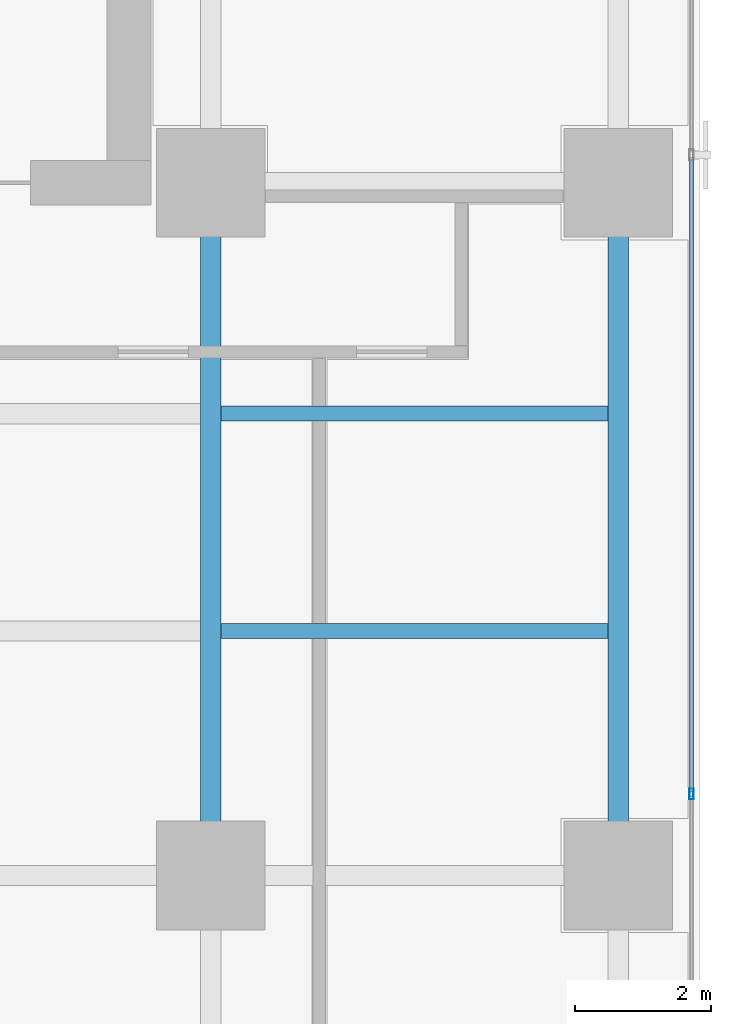
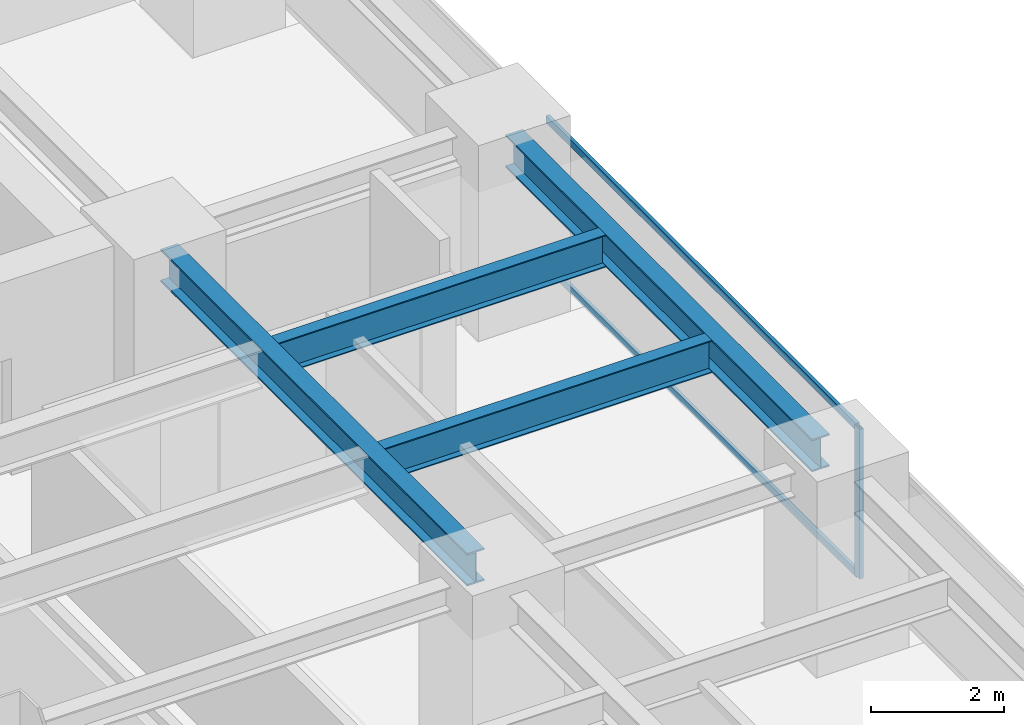
# One storey, part 13 of 28: 4 beams, 3 members, 1 element without a shape of its own.
"""IFC4 building model written with IfcOpenShell, lengths in metres."""

import ifcopenshell
import ifcopenshell.guid

model = None  # the IFC model being written
_history = None  # IfcOwnerHistory: only IFC2X3 demands one
_inside = {}  # id of a spatial element -> (the spatial element, [elements in it])
_under = {}  # id of a project, library or spatial element -> (it, [spatial elements below it])
_declared = {}  # id of a project -> (the project, [libraries it declares])
_typed = {}  # id of a type object -> (the type object, [elements of that type])
_made_of = {}  # id of a material, layer set ... -> (it, [elements and type objects made of it])


def new_model(schema):
    """Start an empty IFC model of exactly this schema.

    Asked for "IFC4X3", IfcOpenShell would pick the latest addendum, in which some entities
    have other attributes; the version numbers below select the first issue.
    IFC2X3 requires an IfcOwnerHistory on every rooted entity: one is made here for all.
    """
    global model, _history
    if schema == "IFC4X3":
        model = ifcopenshell.file(schema_version=(4, 3, 0, 0))
    else:
        model = ifcopenshell.file(schema=schema)
    _inside.clear()
    _under.clear()
    _declared.clear()
    _typed.clear()
    _made_of.clear()
    _history = None
    if model.schema == "IFC2X3":
        org = make("IfcOrganization", Name="unknown")
        user = make(
            "IfcPersonAndOrganization",
            ThePerson=make("IfcPerson", FamilyName="unknown"),
            TheOrganization=org,
        )
        app = make(
            "IfcApplication",
            ApplicationDeveloper=org,
            Version="unknown",
            ApplicationFullName="unknown",
            ApplicationIdentifier="unknown",
        )
        _history = make(
            "IfcOwnerHistory",
            OwningUser=user,
            OwningApplication=app,
            ChangeAction="ADDED",
            CreationDate=0,
        )
    return model


def make(cls, **values):
    """One entity of the class cls with the attributes given. An attribute that is None is left unset."""
    return model.create_entity(
        cls, **{name: value for name, value in values.items() if value is not None}
    )


def rooted(cls, **values):
    """An entity with a GlobalId (a new one), such as an element, a storey or a relation."""
    return make(cls, GlobalId=ifcopenshell.guid.new(), OwnerHistory=_history, **values)


def si_unit(unit_type, name, prefix=None):
    """IfcSIUnit, for example si_unit("LENGTHUNIT", "METRE", prefix="MILLI")."""
    return make("IfcSIUnit", UnitType=unit_type, Prefix=prefix, Name=name)


def assignment(units):
    """IfcUnitAssignment: the units of a project."""
    return None if units is None else make("IfcUnitAssignment", Units=units)


def point(xyz):
    """IfcCartesianPoint."""
    return None if xyz is None else make("IfcCartesianPoint", Coordinates=xyz)


def direction(xyz):
    """IfcDirection."""
    return None if xyz is None else make("IfcDirection", DirectionRatios=xyz)


def frame(location, z_axis=None, x_axis=None):
    """IfcAxis2Placement3D, a coordinate frame: its origin and axes. An axis left out is left unset."""
    return make(
        "IfcAxis2Placement3D",
        Location=point(location),
        Axis=direction(z_axis),
        RefDirection=direction(x_axis),
    )


def frame_2d(location, x_axis=None):
    """IfcAxis2Placement2D, a coordinate frame in the plane: its origin and x axis."""
    return make(
        "IfcAxis2Placement2D", Location=point(location), RefDirection=direction(x_axis)
    )


def origin():
    """The frame at (0, 0, 0) with its axes left unset."""
    return frame((0.0, 0.0, 0.0))


def origin_2d():
    """The frame at (0, 0) in the plane with its x axis left unset."""
    return frame_2d((0.0, 0.0))


def place(relative_to, where):
    """IfcLocalPlacement: puts the frame where relative to a parent placement (None: the world)."""
    return make(
        "IfcLocalPlacement", PlacementRelTo=relative_to, RelativePlacement=where
    )


def context(
    kind, dimensions, precision=None, world=None, true_north=None, identifier=None
):
    """IfcGeometricRepresentationContext, for example the 3D "Model" context."""
    return make(
        "IfcGeometricRepresentationContext",
        ContextIdentifier=identifier,
        ContextType=kind,
        CoordinateSpaceDimension=dimensions,
        Precision=precision,
        WorldCoordinateSystem=world,
        TrueNorth=true_north,
    )


def subcontext(parent, identifier, kind, view, scale=None):
    """IfcGeometricRepresentationSubContext, for example "Body" below "Model"."""
    return make(
        "IfcGeometricRepresentationSubContext",
        ContextIdentifier=identifier,
        ContextType=kind,
        ParentContext=parent,
        TargetScale=scale,
        TargetView=view,
    )


def project(units=None, contexts=None):
    """IfcProject with its units and contexts."""
    return rooted(
        "IfcProject",
        Name="project",
        RepresentationContexts=contexts,
        UnitsInContext=assignment(units),
    )


def spatial(cls, under=None, at=None, **own):
    """A site, building, storey or space (cls), placed at a placement, below another one or the project."""
    s = rooted(cls, ObjectPlacement=at, **own)
    if under is not None:
        _under.setdefault(under.id(), (under, []))[1].append(s)
    return s


def profile(cls, at=None, kind="AREA", **sizes):
    """A parametric profile (cls). Its sizes go by their IFC names, for example OverallWidth=200.0."""
    return make(cls, ProfileType=kind, Position=at, **sizes)


def hollow_rectangle(**sizes):
    """IfcRectangleHollowProfileDef."""
    return profile("IfcRectangleHollowProfileDef", **sizes)


def i_section(**sizes):
    """IfcIShapeProfileDef."""
    return profile("IfcIShapeProfileDef", **sizes)


def extrude(swept, where, along, depth):
    """IfcExtrudedAreaSolid: the profile swept, set in the frame where, extruded along a direction by depth."""
    return make(
        "IfcExtrudedAreaSolid",
        SweptArea=swept,
        Position=where,
        ExtrudedDirection=direction(along),
        Depth=depth,
    )


def shape(context_of_items, identifier, shape_type, items):
    """IfcShapeRepresentation: the items that make up one representation, for example the "Body"."""
    return make(
        "IfcShapeRepresentation",
        ContextOfItems=context_of_items,
        RepresentationIdentifier=identifier,
        RepresentationType=shape_type,
        Items=items,
    )


def source(mapping_origin, context_of_items, identifier, shape_type, items):
    """IfcRepresentationMap: a shape defined once, which mapped items show again and again."""
    return make(
        "IfcRepresentationMap",
        MappingOrigin=mapping_origin,
        MappedRepresentation=shape(context_of_items, identifier, shape_type, items),
    )


def transform(
    local_origin,
    x_axis=None,
    y_axis=None,
    z_axis=None,
    scale=None,
    scale2=None,
    scale3=None,
    uniform=True,
):
    """IfcCartesianTransformationOperator3D, or its non-uniform kind. x_axis, y_axis, z_axis: its Axis1, 2, 3."""
    if uniform:
        return make(
            "IfcCartesianTransformationOperator3D",
            Axis1=direction(x_axis),
            Axis2=direction(y_axis),
            LocalOrigin=point(local_origin),
            Scale=scale,
            Axis3=direction(z_axis),
        )
    return make(
        "IfcCartesianTransformationOperator3DnonUniform",
        Axis1=direction(x_axis),
        Axis2=direction(y_axis),
        LocalOrigin=point(local_origin),
        Scale=scale,
        Axis3=direction(z_axis),
        Scale2=scale2,
        Scale3=scale3,
    )


def mapped(mapping_source, mapping_target):
    """IfcMappedItem: shows the shape of a source again, moved by a transform."""
    return make(
        "IfcMappedItem", MappingSource=mapping_source, MappingTarget=mapping_target
    )


def material(Name=None, Category=None):
    """IfcMaterial."""
    return make("IfcMaterial", Name=Name, Category=Category)


def layer(
    of_material, thickness, ventilated=None, Name=None, Category=None, Priority=None
):
    """IfcMaterialLayer: one layer of a wall or slab, of a material (None: an air gap)."""
    return make(
        "IfcMaterialLayer",
        Material=of_material,
        LayerThickness=thickness,
        IsVentilated=ventilated,
        Name=Name,
        Category=Category,
        Priority=Priority,
    )


def layer_set(layers, Name=None):
    """IfcMaterialLayerSet."""
    return make("IfcMaterialLayerSet", MaterialLayers=layers, LayerSetName=Name)


def material_profile(
    of_material, cross_section, Name=None, Category=None, Priority=None
):
    """IfcMaterialProfile: a cross section and its material."""
    return make(
        "IfcMaterialProfile",
        Name=Name,
        Material=of_material,
        Profile=cross_section,
        Priority=Priority,
        Category=Category,
    )


def profile_set(profiles, Name=None, composite=None):
    """IfcMaterialProfileSet."""
    return make(
        "IfcMaterialProfileSet",
        Name=Name,
        MaterialProfiles=profiles,
        CompositeProfile=composite,
    )


def made_of(thing, what):
    """Note that an element or type object is made of a material, layer set ...; save() writes the relation."""
    if what is not None:
        _made_of.setdefault(what.id(), (what, []))[1].append(thing)
    return thing


def type_object(cls, material=None, **own):
    """A type object (cls), such as IfcWallType, which elements share."""
    return made_of(rooted(cls, **own), material)


def element(
    cls,
    number,
    at=None,
    inside=None,
    cuts=None,
    type_object=None,
    material=None,
    context=None,
    identifier="Body",
    shape_type=None,
    held_by="IfcProductDefinitionShape",
    body=None,
    shapes=None,
    **own,
):
    """One element of the class cls, such as IfcWall. Its Tag is "e" and its number.

    at: its placement. inside: the storey or other place that contains it. cuts: it is an
    opening in that element (IfcRelVoidsElement). A single representation is given by context,
    identifier, shape_type and body (its items); several are given by shapes. held_by: the class
    of the entity that holds the representations. save() writes the other relations.
    """
    e = rooted(cls, Tag="e%d" % number, ObjectPlacement=at, **own)
    if body is not None:
        shapes = [shape(context, identifier, shape_type, body)]
    if shapes is not None:
        e.Representation = make(held_by, Representations=shapes)
    if inside is not None:
        _inside.setdefault(inside.id(), (inside, []))[1].append(e)
    if cuts is not None:
        rooted(
            "IfcRelVoidsElement", RelatingBuildingElement=cuts, RelatedOpeningElement=e
        )
    if type_object is not None:
        _typed.setdefault(type_object.id(), (type_object, []))[1].append(e)
    return made_of(e, material)


def aggregate(whole, parts):
    """IfcRelAggregates: a whole, such as a stair, and the parts it consists of."""
    return rooted("IfcRelAggregates", RelatingObject=whole, RelatedObjects=parts)


def save(model, path):
    """Write the relations noted so far, then the file.

    IfcRelAggregates (storeys below a building ...), IfcRelContainedInSpatialStructure (elements
    in a storey), IfcRelDefinesByType, IfcRelAssociatesMaterial and IfcRelDeclares: one each for
    every whole, place, type object, material and project.
    """
    for whole, parts in _under.values():
        aggregate(whole, parts)
    for where, things in _inside.values():
        rooted(
            "IfcRelContainedInSpatialStructure",
            RelatedElements=things,
            RelatingStructure=where,
        )
    for kind, things in _typed.values():
        rooted("IfcRelDefinesByType", RelatedObjects=things, RelatingType=kind)
    for what, things in _made_of.values():
        rooted("IfcRelAssociatesMaterial", RelatedObjects=things, RelatingMaterial=what)
    for by, libraries in _declared.values():
        rooted("IfcRelDeclares", RelatingContext=by, RelatedDefinitions=libraries)
    model.write(path)


model = new_model("IFC4")

# Units and contexts
model_context = context("Model", 3, precision=1e-05, world=origin(), true_north=direction((0.0, 1.0)))
body_context = subcontext(model_context, "Body", "Model", "MODEL_VIEW")
ifc_project = project(units=[si_unit("LENGTHUNIT", "METRE"), si_unit("AREAUNIT", "SQUARE_METRE"), si_unit("VOLUMEUNIT", "CUBIC_METRE"), si_unit("PLANEANGLEUNIT", "RADIAN"), si_unit("MASSUNIT", "GRAM", prefix="KILO")], contexts=[model_context])

# Site, building, storey
site_placement = place(None, origin())
site = spatial("IfcSite", under=ifc_project, at=site_placement, CompositionType="ELEMENT")
building_placement = place(site_placement, origin())
building = spatial("IfcBuilding", under=site, at=building_placement, Name="Sumidabori Civic Tower", CompositionType="ELEMENT")
storey_placement = place(building_placement, frame((0.0, 0.0, 174.800048828125)))
storey = spatial("IfcBuildingStorey", under=building, at=storey_placement, Name="L45", CompositionType="ELEMENT", Elevation=174.800048828125)

# Beams
ifc_material_1 = material(Name="Steel SN490", Category="steel")
ifc_material_profile_1 = material_profile(ifc_material_1, i_section(OverallWidth=0.300048828125, OverallDepth=0.60009765625, WebThickness=0.015380859375, FlangeThickness=0.030029296875, at=origin_2d()), Name="HE 600 B")
ifc_profile_set_1 = profile_set([ifc_material_profile_1], Name="Steel SN490")
beam_type_1 = type_object("IfcBeamType", Name="BM-GIRD-600", PredefinedType="BEAM", material=ifc_profile_set_1)
shared_shape_1 = source(origin(), body_context, "Body", "SweptSolid", [
    extrude(i_section(OverallWidth=0.300048828125, OverallDepth=0.60009765625, WebThickness=0.015380859375, FlangeThickness=0.030029296875, at=origin_2d()), origin(), (0.0, 0.0, 1.0), 9.239990234375),
])
for number, where, z_axis, x_axis, name in (
    (1, (16.800048828125, 0.47998046875, 3.079833984375), (0.0, 1.0, 0.0), (-1.0, 0.0, 0.0), "Primary Girder L45 GY-34"),
    (2, (22.800048828125, 0.47998046875, 3.079833984375), (0.0, 1.0, 0.0), (-1.0, 0.0, 0.0), "Primary Girder L45 GY-37"),
):
    element("IfcBeam", number, at=place(storey_placement, frame(where, z_axis=z_axis, x_axis=x_axis)), inside=storey, type_object=beam_type_1, Name=name, PredefinedType="BEAM", context=body_context, shape_type="MappedRepresentation", body=[
        mapped(shared_shape_1, transform((0.0, 0.0, 0.0), x_axis=(1.0, 0.0, 0.0), y_axis=(0.0, 1.0, 0.0), z_axis=(0.0, 0.0, 1.0), scale=1.0)),
    ])
ifc_material_profile_2 = material_profile(ifc_material_1, i_section(OverallWidth=0.219970703125, OverallDepth=0.60009765625, WebThickness=0.011962890625, FlangeThickness=0.01904296875, at=origin_2d()), Name="IPE 600")
ifc_profile_set_2 = profile_set([ifc_material_profile_2], Name="Steel SN490")
beam_type_2 = type_object("IfcBeamType", Name="BM-JST-600", PredefinedType="JOIST", material=ifc_profile_set_2)
shared_shape_2 = source(origin(), body_context, "Body", "SweptSolid", [
    extrude(i_section(OverallWidth=0.219970703125, OverallDepth=0.60009765625, WebThickness=0.011962890625, FlangeThickness=0.01904296875, at=origin_2d()), origin(), (0.0, 0.0, 1.0), 5.699951171875),
])
for number, where, z_axis, x_axis, name in (
    (3, (16.949951171875, 3.60009765625, 3.079833984375), (1.0, 0.0, 0.0), (0.0, 1.0, 0.0), "Outer Bay Floor Joist L45 JSTO-44"),
    (4, (16.949951171875, 6.800048828125, 3.079833984375), (1.0, 0.0, 0.0), (0.0, 1.0, 0.0), "Outer Bay Floor Joist L45 JSTO-46"),
):
    element("IfcBeam", number, at=place(storey_placement, frame(where, z_axis=z_axis, x_axis=x_axis)), inside=storey, type_object=beam_type_2, Name=name, PredefinedType="JOIST", context=body_context, shape_type="MappedRepresentation", body=[
        mapped(shared_shape_2, transform((0.0, 0.0, 0.0), x_axis=(1.0, 0.0, 0.0), y_axis=(0.0, 1.0, 0.0), z_axis=(0.0, 0.0, 1.0), scale=1.0)),
    ])

# Curtain wall, members
ifc_material_2 = material(Name="Anodised Bronze Aluminium AW-6063-T6", Category="aluminium")
ifc_layer = layer(ifc_material_2, 0.179931640625, Name="Anodised Bronze Aluminium AW-6063-T6")
ifc_layer_set = layer_set([ifc_layer], Name="Anodised Bronze Aluminium AW-6063-T6")
curtain_wall_type = type_object("IfcCurtainWallType", Name="CW-SYS-3", PredefinedType="NOTDEFINED", material=ifc_layer_set)
curtain_wall_placement = place(storey_placement, origin())
curtain_wall = element("IfcCurtainWall", 5, at=curtain_wall_placement, inside=storey, type_object=curtain_wall_type, Name="Curtain Wall CW:L45:R04", PredefinedType="NOTDEFINED")
ifc_material_profile_3 = material_profile(ifc_material_2, hollow_rectangle(XDim=0.06494140625, YDim=0.159912109375, WallThickness=0.0048828125, at=origin_2d()), Name="ALU MULLION 160x65")
ifc_profile_set_3 = profile_set([ifc_material_profile_3], Name="Anodised Bronze Aluminium AW-6063-T6")
member_type_1 = type_object("IfcMemberType", Name="CW-MUL-160", PredefinedType="MULLION", material=ifc_profile_set_3)
shared_shape_3 = source(origin(), body_context, "Body", "SweptSolid", [
    extrude(hollow_rectangle(XDim=0.06494140625, YDim=0.159912109375, WallThickness=0.0048828125, at=origin_2d()), origin(), (0.0, 0.0, 1.0), 2.760009765625),
])
member_1_placement = place(storey_placement, frame((23.8798828125, 1.199951171875, 0.0), z_axis=(0.0, 0.0, 1.0), x_axis=(-1.0, 0.0, 0.0)))
member_1 = element("IfcMember", 6, at=member_1_placement, type_object=member_type_1, Name="CW-3 mullion 3", PredefinedType="MULLION", context=body_context, shape_type="MappedRepresentation", body=[
    mapped(shared_shape_3, transform((0.0, 0.0, 0.0), x_axis=(1.0, 0.0, 0.0), y_axis=(0.0, 1.0, 0.0), z_axis=(0.0, 0.0, 1.0), scale=1.0)),
])
ifc_material_profile_4 = material_profile(ifc_material_2, hollow_rectangle(XDim=0.06005859375, YDim=0.1298828125, WallThickness=0.0048828125, at=origin_2d()), Name="ALU TRANSOM 130x60")
ifc_profile_set_4 = profile_set([ifc_material_profile_4], Name="Anodised Bronze Aluminium AW-6063-T6")
member_type_2 = type_object("IfcMemberType", Name="CW-TRN-130", PredefinedType="USERDEFINED", material=ifc_profile_set_4)
shared_shape_4 = source(origin(), body_context, "Body", "SweptSolid", [
    extrude(hollow_rectangle(XDim=0.06005859375, YDim=0.1298828125, WallThickness=0.0048828125, at=origin_2d()), origin(), (0.0, 0.0, 1.0), 9.344970703125),
])
member_2_placement = place(storey_placement, frame((23.8798828125, 1.232421875, 0.030029296875), z_axis=(0.0, 1.0, 0.0), x_axis=(-1.0, 0.0, 0.0)))
member_2 = element("IfcMember", 7, at=member_2_placement, type_object=member_type_2, Name="CW-3 transom 3.1", ObjectType="TRANSOM", PredefinedType="USERDEFINED", context=body_context, shape_type="MappedRepresentation", body=[
    mapped(shared_shape_4, transform((0.0, 0.0, 0.0), x_axis=(1.0, 0.0, 0.0), y_axis=(0.0, 1.0, 0.0), z_axis=(0.0, 0.0, 1.0), scale=1.0)),
])
member_3_placement = place(storey_placement, frame((23.8798828125, 1.232421875, 2.72998046875), z_axis=(0.0, 1.0, 0.0), x_axis=(-1.0, 0.0, 0.0)))
member_3 = element("IfcMember", 8, at=member_3_placement, type_object=member_type_2, Name="CW-3 transom 3.2", ObjectType="TRANSOM", PredefinedType="USERDEFINED", context=body_context, shape_type="MappedRepresentation", body=[
    mapped(shared_shape_4, transform((0.0, 0.0, 0.0), x_axis=(1.0, 0.0, 0.0), y_axis=(0.0, 1.0, 0.0), z_axis=(0.0, 0.0, 1.0), scale=1.0)),
])
aggregate(curtain_wall, [member_1, member_2, member_3])

save(model, "model.ifc")
